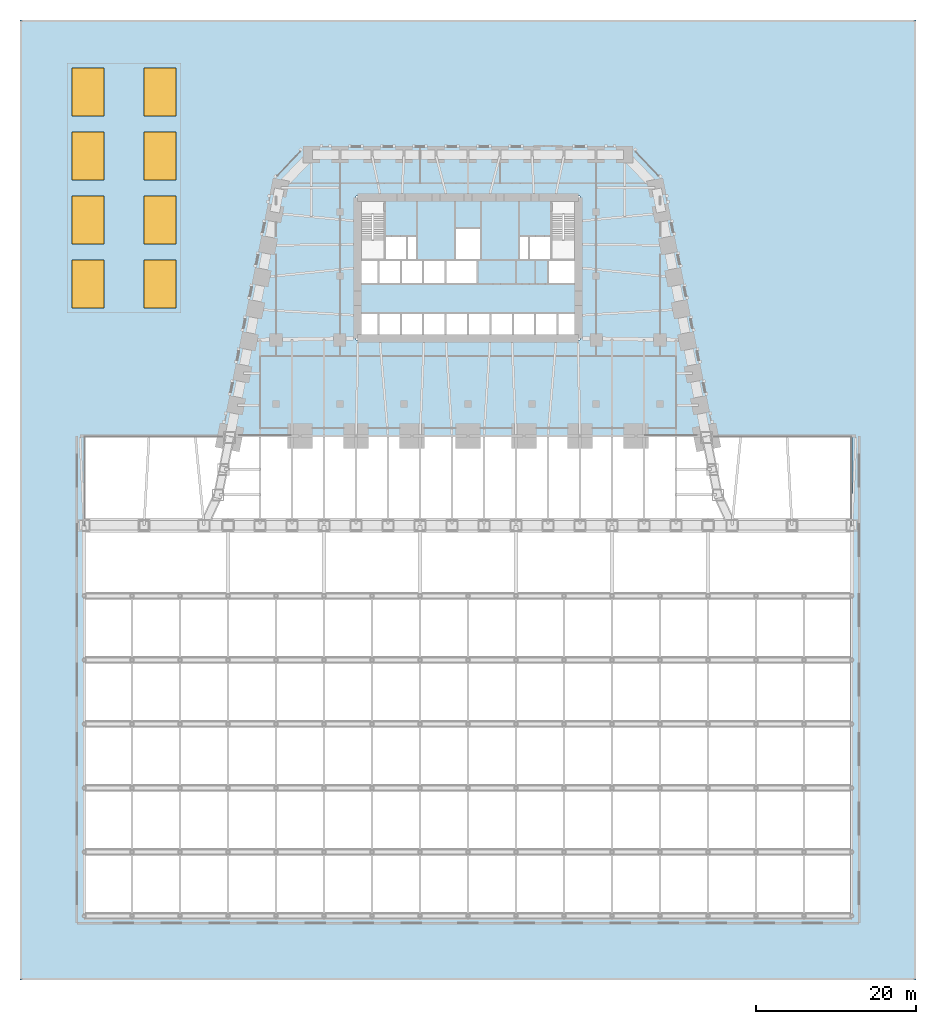
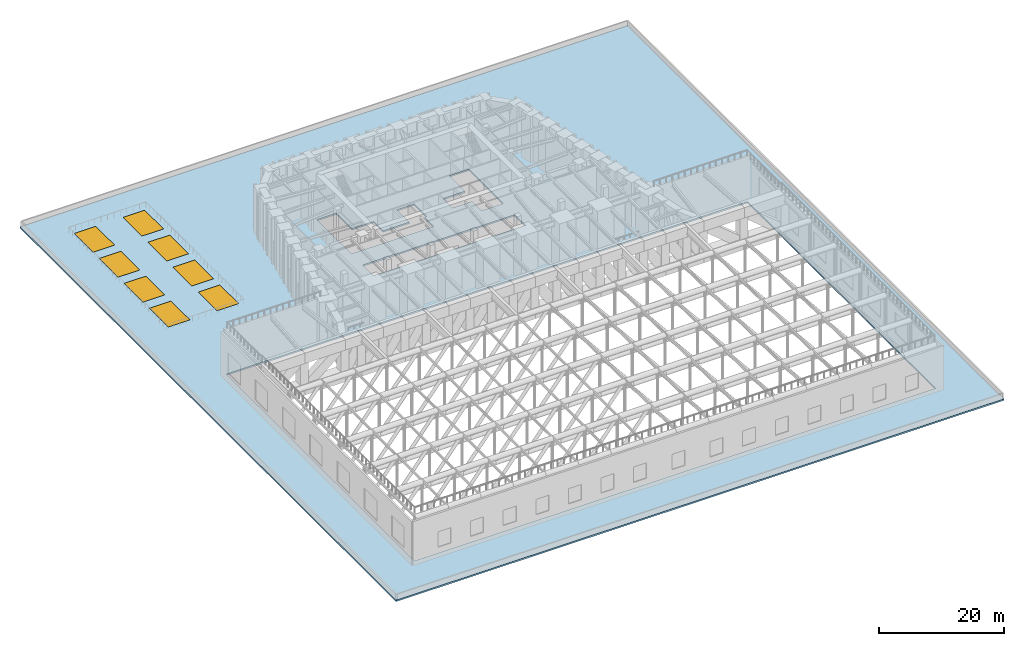
# One storey, part 10 of 20: 8 windows, 1 slab, 8 openings.
"""IFC4 building model written with IfcOpenShell, lengths in metres."""

from ifc_helpers import new_model, si_unit, direction, frame, origin, origin_2d, place, context, subcontext, project, spatial, polyline, rectangle, outline, extrude, material, layer, layer_set, type_object, element, fill, save


model = new_model("IFC4")

# Units and contexts
model_context = context("Model", 3, precision=1e-05, world=origin(), true_north=direction((0.0, 1.0)))
body_context = subcontext(model_context, "Body", "Model", "MODEL_VIEW")
ifc_project = project(units=[si_unit("LENGTHUNIT", "METRE"), si_unit("AREAUNIT", "SQUARE_METRE"), si_unit("VOLUMEUNIT", "CUBIC_METRE"), si_unit("PLANEANGLEUNIT", "RADIAN"), si_unit("MASSUNIT", "GRAM", prefix="KILO")], contexts=[model_context])

# Site, building, storey
site_placement = place(None, origin())
site = spatial("IfcSite", under=ifc_project, at=site_placement, CompositionType="ELEMENT")
building_placement = place(site_placement, origin())
building = spatial("IfcBuilding", under=site, at=building_placement, Name="Isbrekke Arena Tower", CompositionType="ELEMENT")
storey_placement = place(building_placement, frame((0.0, 0.0, 19.0)))
storey = spatial("IfcBuildingStorey", under=building, at=storey_placement, Name="L03", CompositionType="ELEMENT", Elevation=19.0)

# Slab, openings, windows
ifc_material_1 = material(Name="Concrete B45 (C45/55)", Category="concrete")
ifc_layer = layer(ifc_material_1, 0.300048828125)
ifc_layer_set = layer_set([ifc_layer], Name="PS2 PODIUM ROOF 300")
slab_type = type_object("IfcSlabType", Name="PS2 PODIUM ROOF 300", PredefinedType="FLOOR", material=ifc_layer_set)
slab_placement = place(storey_placement, frame((0.0, 0.0, -0.2998046875)))
slab = element("IfcSlab", 1, at=slab_placement, inside=storey, type_object=slab_type, Name="PS2 podium roof L03, maintenance access only", PredefinedType="FLOOR", context=body_context, shape_type="SweptSolid", body=[
    extrude(outline(polyline([(-56.0, -74.0), (56.0, -74.0), (56.0, 46.0), (-56.0, 46.0), (-56.0, -74.0)]), holes=[polyline([(48.0, -6.0), (48.0, -66.0), (-48.0, -66.0), (-48.0, -6.0), (48.0, -6.0)]), polyline([(-14.0, 6.0), (-14.0, 9.39990234375), (14.0, 9.39990234375), (14.0, 6.0), (-14.0, 6.0)]), polyline([(-1.60009765625, 16.0), (-1.60009765625, 20.0), (1.60009765625, 20.0), (1.60009765625, 16.0), (1.199951171875, 16.0), (1.199951171875, 13.0), (-14.0, 13.0), (-14.0, 24.0), (-10.39990234375, 24.0), (-10.39990234375, 19.0), (-6.39990234375, 19.0), (-6.39990234375, 16.0), (-1.60009765625, 16.0)]), polyline([(6.39990234375, 16.0), (6.39990234375, 19.0), (10.39990234375, 19.0), (10.39990234375, 24.0), (14.0, 24.0), (14.0, 13.0), (10.0, 13.0), (10.0, 16.0), (6.39990234375, 16.0)])]), origin(), (0.0, 0.0, 1.0), 0.2998046875),
])
opening_1_placement = place(slab_placement, frame((-47.5, 13.0, 0.0)))
opening_1 = element("IfcOpeningElement", 2, at=opening_1_placement, cuts=slab, Name="Opening SK1", PredefinedType="OPENING", context=body_context, shape_type="SweptSolid", body=[
    extrude(rectangle(XDim=4.0, YDim=6.0, at=origin_2d()), frame((0.0, 0.0, -0.014892578125)), (0.0, 0.0, 1.0), 0.32958984375),
])
opening_2_placement = place(slab_placement, frame((-47.5, 21.0, 0.0)))
opening_2 = element("IfcOpeningElement", 3, at=opening_2_placement, cuts=slab, Name="Opening SK1", PredefinedType="OPENING", context=body_context, shape_type="SweptSolid", body=[
    extrude(rectangle(XDim=4.0, YDim=6.0, at=origin_2d()), frame((0.0, 0.0, -0.014892578125)), (0.0, 0.0, 1.0), 0.32958984375),
])
opening_3_placement = place(slab_placement, frame((-47.5, 29.0, 0.0)))
opening_3 = element("IfcOpeningElement", 4, at=opening_3_placement, cuts=slab, Name="Opening SK1", PredefinedType="OPENING", context=body_context, shape_type="SweptSolid", body=[
    extrude(rectangle(XDim=4.0, YDim=6.0, at=origin_2d()), frame((0.0, 0.0, -0.014892578125)), (0.0, 0.0, 1.0), 0.32958984375),
])
opening_4_placement = place(slab_placement, frame((-47.5, 37.0, 0.0)))
opening_4 = element("IfcOpeningElement", 5, at=opening_4_placement, cuts=slab, Name="Opening SK1", PredefinedType="OPENING", context=body_context, shape_type="SweptSolid", body=[
    extrude(rectangle(XDim=4.0, YDim=6.0, at=origin_2d()), frame((0.0, 0.0, -0.014892578125)), (0.0, 0.0, 1.0), 0.32958984375),
])
opening_5_placement = place(slab_placement, frame((-38.5, 13.0, 0.0)))
opening_5 = element("IfcOpeningElement", 6, at=opening_5_placement, cuts=slab, Name="Opening SK1", PredefinedType="OPENING", context=body_context, shape_type="SweptSolid", body=[
    extrude(rectangle(XDim=4.0, YDim=6.0, at=origin_2d()), frame((0.0, 0.0, -0.014892578125)), (0.0, 0.0, 1.0), 0.32958984375),
])
opening_6_placement = place(slab_placement, frame((-38.5, 21.0, 0.0)))
opening_6 = element("IfcOpeningElement", 7, at=opening_6_placement, cuts=slab, Name="Opening SK1", PredefinedType="OPENING", context=body_context, shape_type="SweptSolid", body=[
    extrude(rectangle(XDim=4.0, YDim=6.0, at=origin_2d()), frame((0.0, 0.0, -0.014892578125)), (0.0, 0.0, 1.0), 0.32958984375),
])
opening_7_placement = place(slab_placement, frame((-38.5, 29.0, 0.0)))
opening_7 = element("IfcOpeningElement", 8, at=opening_7_placement, cuts=slab, Name="Opening SK1", PredefinedType="OPENING", context=body_context, shape_type="SweptSolid", body=[
    extrude(rectangle(XDim=4.0, YDim=6.0, at=origin_2d()), frame((0.0, 0.0, -0.014892578125)), (0.0, 0.0, 1.0), 0.32958984375),
])
opening_8_placement = place(slab_placement, frame((-38.5, 37.0, 0.0)))
opening_8 = element("IfcOpeningElement", 9, at=opening_8_placement, cuts=slab, Name="Opening SK1", PredefinedType="OPENING", context=body_context, shape_type="SweptSolid", body=[
    extrude(rectangle(XDim=4.0, YDim=6.0, at=origin_2d()), frame((0.0, 0.0, -0.014892578125)), (0.0, 0.0, 1.0), 0.32958984375),
])
ifc_material_2 = material(Name="Triple-glazed rooflight on aluminium frame", Category="aluminium")
window_type = type_object("IfcWindowType", Name="SK1 ATRIUM SKYLIGHT 4000 x 6000", PartitioningType="SINGLE_PANEL", PredefinedType="SKYLIGHT", material=ifc_material_2)
window_1_placement = place(opening_1_placement, frame((0.0, 0.0, 0.249755859375)))
window_1 = element("IfcWindow", 10, at=window_1_placement, inside=storey, type_object=window_type, Name="SK1 atrium skylight 1", OverallHeight=6.0, OverallWidth=4.0, PartitioningType="SINGLE_PANEL", PredefinedType="SKYLIGHT", context=body_context, shape_type="SweptSolid", body=[
    extrude(rectangle(XDim=4.0, YDim=6.0, at=origin_2d()), origin(), (0.0, 0.0, 1.0), 0.050048828125),
])
fill(opening_1, window_1)
window_2_placement = place(opening_2_placement, frame((0.0, 0.0, 0.249755859375)))
window_2 = element("IfcWindow", 11, at=window_2_placement, inside=storey, type_object=window_type, Name="SK1 atrium skylight 2", OverallHeight=6.0, OverallWidth=4.0, PartitioningType="SINGLE_PANEL", PredefinedType="SKYLIGHT", context=body_context, shape_type="SweptSolid", body=[
    extrude(rectangle(XDim=4.0, YDim=6.0, at=origin_2d()), origin(), (0.0, 0.0, 1.0), 0.050048828125),
])
fill(opening_2, window_2)
window_3_placement = place(opening_3_placement, frame((0.0, 0.0, 0.249755859375)))
window_3 = element("IfcWindow", 12, at=window_3_placement, inside=storey, type_object=window_type, Name="SK1 atrium skylight 3", OverallHeight=6.0, OverallWidth=4.0, PartitioningType="SINGLE_PANEL", PredefinedType="SKYLIGHT", context=body_context, shape_type="SweptSolid", body=[
    extrude(rectangle(XDim=4.0, YDim=6.0, at=origin_2d()), origin(), (0.0, 0.0, 1.0), 0.050048828125),
])
fill(opening_3, window_3)
window_4_placement = place(opening_4_placement, frame((0.0, 0.0, 0.249755859375)))
window_4 = element("IfcWindow", 13, at=window_4_placement, inside=storey, type_object=window_type, Name="SK1 atrium skylight 4", OverallHeight=6.0, OverallWidth=4.0, PartitioningType="SINGLE_PANEL", PredefinedType="SKYLIGHT", context=body_context, shape_type="SweptSolid", body=[
    extrude(rectangle(XDim=4.0, YDim=6.0, at=origin_2d()), origin(), (0.0, 0.0, 1.0), 0.050048828125),
])
fill(opening_4, window_4)
window_5_placement = place(opening_5_placement, frame((0.0, 0.0, 0.249755859375)))
window_5 = element("IfcWindow", 14, at=window_5_placement, inside=storey, type_object=window_type, Name="SK1 atrium skylight 5", OverallHeight=6.0, OverallWidth=4.0, PartitioningType="SINGLE_PANEL", PredefinedType="SKYLIGHT", context=body_context, shape_type="SweptSolid", body=[
    extrude(rectangle(XDim=4.0, YDim=6.0, at=origin_2d()), origin(), (0.0, 0.0, 1.0), 0.050048828125),
])
fill(opening_5, window_5)
window_6_placement = place(opening_6_placement, frame((0.0, 0.0, 0.249755859375)))
window_6 = element("IfcWindow", 15, at=window_6_placement, inside=storey, type_object=window_type, Name="SK1 atrium skylight 6", OverallHeight=6.0, OverallWidth=4.0, PartitioningType="SINGLE_PANEL", PredefinedType="SKYLIGHT", context=body_context, shape_type="SweptSolid", body=[
    extrude(rectangle(XDim=4.0, YDim=6.0, at=origin_2d()), origin(), (0.0, 0.0, 1.0), 0.050048828125),
])
fill(opening_6, window_6)
window_7_placement = place(opening_7_placement, frame((0.0, 0.0, 0.249755859375)))
window_7 = element("IfcWindow", 16, at=window_7_placement, inside=storey, type_object=window_type, Name="SK1 atrium skylight 7", OverallHeight=6.0, OverallWidth=4.0, PartitioningType="SINGLE_PANEL", PredefinedType="SKYLIGHT", context=body_context, shape_type="SweptSolid", body=[
    extrude(rectangle(XDim=4.0, YDim=6.0, at=origin_2d()), origin(), (0.0, 0.0, 1.0), 0.050048828125),
])
fill(opening_7, window_7)
window_8_placement = place(opening_8_placement, frame((0.0, 0.0, 0.249755859375)))
window_8 = element("IfcWindow", 17, at=window_8_placement, inside=storey, type_object=window_type, Name="SK1 atrium skylight 8", OverallHeight=6.0, OverallWidth=4.0, PartitioningType="SINGLE_PANEL", PredefinedType="SKYLIGHT", context=body_context, shape_type="SweptSolid", body=[
    extrude(rectangle(XDim=4.0, YDim=6.0, at=origin_2d()), origin(), (0.0, 0.0, 1.0), 0.050048828125),
])
fill(opening_8, window_8)

save(model, "model.ifc")
